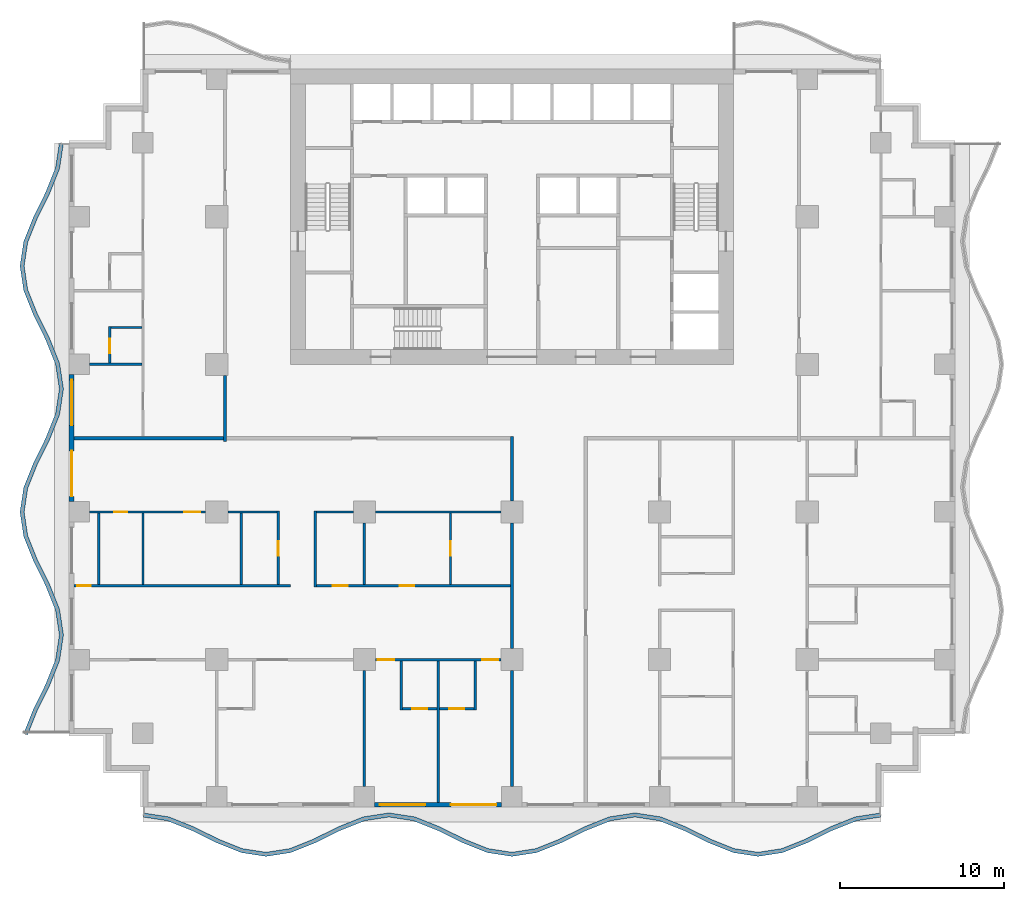
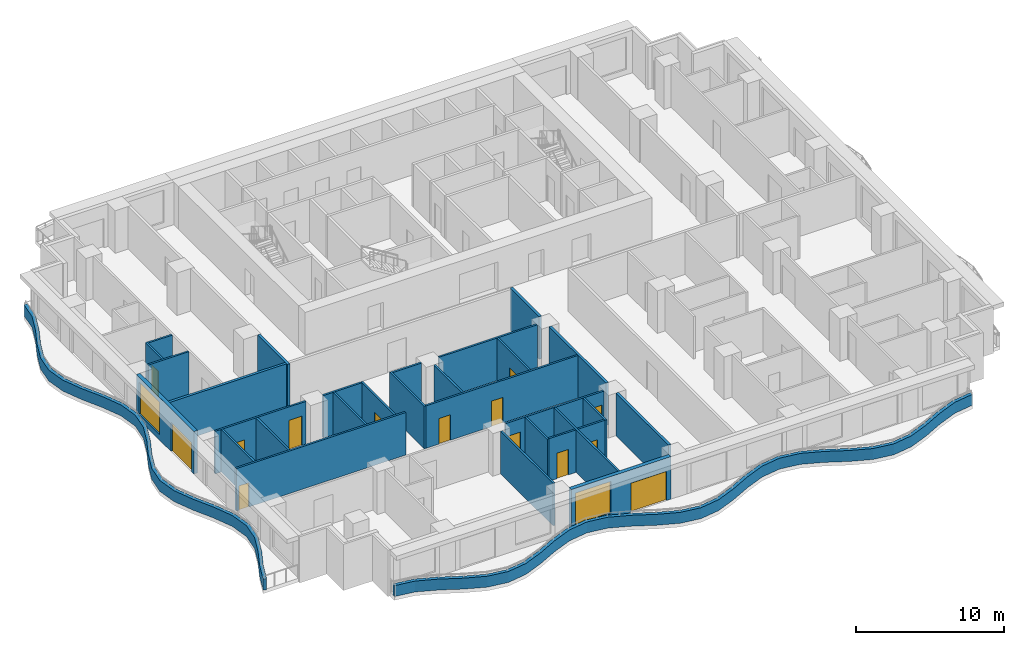
# One storey, part 2 of 13: 32 walls, 14 doors, 2 windows, 16 openings.
"""IFC4 building model written with IfcOpenShell, lengths in metres."""

from ifc_helpers import new_model, si_unit, direction, frame, frame_2d, origin, place, context, subcontext, project, spatial, polyline, rectangle, outline, extrude, material, layer, layer_set, type_object, element, fill, save


model = new_model("IFC4")

# Units and contexts
model_context = context("Model", 3, precision=1e-05, world=origin(), true_north=direction((0.0, 1.0)))
body_context = subcontext(model_context, "Body", "Model", "MODEL_VIEW")
ifc_project = project(units=[si_unit("LENGTHUNIT", "METRE"), si_unit("AREAUNIT", "SQUARE_METRE"), si_unit("VOLUMEUNIT", "CUBIC_METRE"), si_unit("PLANEANGLEUNIT", "RADIAN"), si_unit("MASSUNIT", "GRAM", prefix="KILO")], contexts=[model_context])

# Site, building, storey
site_placement = place(None, origin())
site = spatial("IfcSite", under=ifc_project, at=site_placement, CompositionType="ELEMENT")
building_placement = place(site_placement, origin())
building = spatial("IfcBuilding", under=site, at=building_placement, Name="Orbiselva Terraces", CompositionType="ELEMENT")
storey_placement = place(building_placement, frame((0.0, 0.0, 99.8)))
storey = spatial("IfcBuildingStorey", under=building, at=storey_placement, Name="L25", CompositionType="ELEMENT", Elevation=99.8)

# Walls
ifc_material_1 = material(Name="Concrete C40/50", Category="concrete")
ifc_layer_1 = layer(ifc_material_1, 0.25)
ifc_layer_set_1 = layer_set([ifc_layer_1], Name="Concrete C40/50")
wall_type_1 = type_object("IfcWallType", Name="ENV-PLANTER-250x900", PredefinedType="USERDEFINED", material=ifc_layer_set_1)
wall_1_placement = place(storey_placement, origin())
element("IfcWall", 1, at=wall_1_placement, inside=storey, type_object=wall_type_1, Name="Balcony planter L25 S", ObjectType="PLANTER", PredefinedType="USERDEFINED", context=body_context, shape_type="SweptSolid", body=[
    extrude(outline(polyline([(-22.5, -23.1), (-21.0, -23.32918), (-19.5, -23.92918), (-18.0, -24.67082), (-16.5, -25.27082), (-15.0, -25.5), (-13.5, -25.27082), (-12.0, -24.67082), (-10.5, -23.92918), (-9.0, -23.32918), (-7.5, -23.1), (-6.0, -23.32918), (-4.5, -23.92918), (-3.0, -24.67082), (-1.5, -25.27082), (0.0, -25.5), (1.5, -25.27082), (3.0, -24.67082), (4.5, -23.92918), (6.0, -23.32918), (7.5, -23.1), (9.0, -23.32918), (10.5, -23.92918), (12.0, -24.67082), (13.5, -25.27082), (15.0, -25.5), (16.5, -25.27082), (18.0, -24.67082), (19.5, -23.92918), (21.0, -23.32918), (22.5, -23.1), (22.462242, -22.852868), (20.933834, -23.086388), (19.398017, -23.700715), (17.898017, -24.442355), (16.433834, -25.028028), (15.0, -25.247099), (13.566166, -25.028028), (12.101983, -24.442355), (10.601983, -23.700715), (9.066166, -23.086388), (7.5, -22.847099), (5.933834, -23.086388), (4.398017, -23.700715), (2.898017, -24.442355), (1.433834, -25.028028), (0.0, -25.247099), (-1.433834, -25.028028), (-2.898017, -24.442355), (-4.398017, -23.700715), (-5.933834, -23.086388), (-7.5, -22.847099), (-9.066166, -23.086388), (-10.601983, -23.700715), (-12.101983, -24.442355), (-13.566166, -25.028028), (-15.0, -25.247099), (-16.433834, -25.028028), (-17.898017, -24.442355), (-19.398017, -23.700715), (-20.933834, -23.086388), (-22.462242, -22.852868), (-22.5, -23.1)])), origin(), (0.0, 0.0, 1.0), 0.9),
])
wall_2_placement = place(storey_placement, origin())
element("IfcWall", 2, at=wall_2_placement, inside=storey, type_object=wall_type_1, Name="Balcony planter L25 W", ObjectType="PLANTER", PredefinedType="USERDEFINED", context=body_context, shape_type="SweptSolid", body=[
    extrude(outline(polyline([(-27.6, 18.0), (-27.82918, 16.5), (-28.42918, 15.0), (-29.17082, 13.5), (-29.77082, 12.0), (-30.0, 10.5), (-29.77082, 9.0), (-29.17082, 7.5), (-28.42918, 6.0), (-27.82918, 4.5), (-27.6, 3.0), (-27.82918, 1.5), (-28.42918, 0.0), (-29.17082, -1.5), (-29.77082, -3.0), (-30.0, -4.5), (-29.77082, -6.0), (-29.17082, -7.5), (-28.42918, -9.0), (-27.82918, -10.5), (-27.6, -12.0), (-27.82918, -13.5), (-28.42918, -15.0), (-29.17082, -16.5), (-29.77082, -18.0), (-29.538701, -18.092848), (-28.942355, -16.601983), (-28.200715, -15.101983), (-27.586388, -13.566166), (-27.347099, -12.0), (-27.586388, -10.433834), (-28.200715, -8.898017), (-28.942355, -7.398017), (-29.528028, -5.933834), (-29.747099, -4.5), (-29.528028, -3.066166), (-28.942355, -1.601983), (-28.200715, -0.101983), (-27.586388, 1.433834), (-27.347099, 3.0), (-27.586388, 4.566166), (-28.200715, 6.101983), (-28.942355, 7.601983), (-29.528028, 9.066166), (-29.747099, 10.5), (-29.528028, 11.933834), (-28.942355, 13.398017), (-28.200715, 14.898017), (-27.586388, 16.433834), (-27.352868, 17.962242), (-27.6, 18.0)])), origin(), (0.0, 0.0, 1.0), 0.9),
])

# Wall, openings, door, window
ifc_material_2 = material(Name="Terracotta cladding on masonry backing", Category="masonry")
ifc_layer_2 = layer(ifc_material_2, 0.3)
ifc_layer_set_2 = layer_set([ifc_layer_2], Name="Terracotta cladding on masonry backing")
wall_type_2 = type_object("IfcWallType", Name="ENV-WALL-TERRACOTTA-300", PredefinedType="SOLIDWALL", material=ifc_layer_set_2)
wall_3_placement = place(storey_placement, frame((-0.625, -22.35, 0.0), z_axis=(0.0, 0.0, 1.0), x_axis=(-1.0, 0.0, 0.0)))
wall_3 = element("IfcWall", 3, at=wall_3_placement, inside=storey, type_object=wall_type_2, Name="Facade wall L25 S", PredefinedType="SOLIDWALL", context=body_context, shape_type="SweptSolid", body=[
    extrude(rectangle(XDim=7.75, YDim=0.3, at=frame_2d((3.875, 0.0))), origin(), (0.0, 0.0, 1.0), 3.5),
])
opening_1_placement = place(wall_3_placement, frame((4.65, 0.0, 0.45)))
opening_1 = element("IfcOpeningElement", 4, at=opening_1_placement, cuts=wall_3, Name="Opening WN6", PredefinedType="OPENING", context=body_context, shape_type="SweptSolid", body=[
    extrude(rectangle(XDim=2.775, YDim=2.65, at=frame_2d((1.3875, 1.325))), frame((0.0, 0.16, 0.0), z_axis=(0.0, -1.0, 0.0), x_axis=(1.0, 0.0, 0.0)), (0.0, 0.0, 1.0), 0.32),
])
opening_2_placement = place(wall_3_placement, frame((0.325, 0.0, 0.0)))
opening_2 = element("IfcOpeningElement", 5, at=opening_2_placement, cuts=wall_3, Name="Opening Z2-C-E16", PredefinedType="OPENING", context=body_context, shape_type="SweptSolid", body=[
    extrude(rectangle(XDim=2.775, YDim=2.4, at=frame_2d((1.3875, 1.2))), frame((0.0, 0.16, 0.0), z_axis=(0.0, -1.0, 0.0), x_axis=(1.0, 0.0, 0.0)), (0.0, 0.0, 1.0), 0.32),
])
ifc_material_3 = material(Name="Clear low-e glazing in aluminium frame", Category="aluminium")
door_type_1 = type_object("IfcDoorType", Name="BALCONY DOOR 2775 X 2400", OperationType="DOUBLE_DOOR_SLIDING", PredefinedType="DOOR", material=ifc_material_3)
door_1_placement = place(opening_2_placement, origin())
door_1 = element("IfcDoor", 6, at=door_1_placement, inside=storey, type_object=door_type_1, Name="Z2-C-E16", OperationType="SINGLE_SWING_LEFT", OverallHeight=2.4, OverallWidth=2.775, PredefinedType="DOOR", context=body_context, shape_type="SweptSolid", body=[
    extrude(rectangle(XDim=2.775, YDim=2.4, at=frame_2d((1.3875, 1.2))), frame((0.0, 0.025, 0.0), z_axis=(0.0, -1.0, 0.0), x_axis=(1.0, 0.0, 0.0)), (0.0, 0.0, 1.0), 0.05),
])
fill(opening_2, door_1)
window_type = type_object("IfcWindowType", Name="WINDOW 2775 X 2650 S450", PartitioningType="TRIPLE_PANEL_VERTICAL", PredefinedType="WINDOW", material=ifc_material_3)
window_1_placement = place(opening_1_placement, origin())
window_1 = element("IfcWindow", 7, at=window_1_placement, inside=storey, type_object=window_type, Name="Window L25 S", OverallHeight=2.65, OverallWidth=2.775, PartitioningType="SINGLE_PANEL", PredefinedType="WINDOW", context=body_context, shape_type="SweptSolid", body=[
    extrude(rectangle(XDim=2.775, YDim=2.65, at=frame_2d((1.3875, 1.325))), frame((0.0, 0.03, 0.0), z_axis=(0.0, -1.0, 0.0), x_axis=(1.0, 0.0, 0.0)), (0.0, 0.0, 1.0), 0.06),
])
fill(opening_1, window_1)

wall_4_placement = place(storey_placement, frame((-26.85, -3.875, 0.0), z_axis=(0.0, 0.0, 1.0), x_axis=(0.0, 1.0, 0.0)))
wall_4 = element("IfcWall", 8, at=wall_4_placement, inside=storey, type_object=wall_type_2, Name="Facade wall L25 W", PredefinedType="SOLIDWALL", context=body_context, shape_type="SweptSolid", body=[
    extrude(rectangle(XDim=7.75, YDim=0.3, at=frame_2d((3.875, 0.0))), origin(), (0.0, 0.0, 1.0), 3.5),
])
opening_3_placement = place(wall_4_placement, frame((4.65, 0.0, 0.45)))
opening_3 = element("IfcOpeningElement", 9, at=opening_3_placement, cuts=wall_4, Name="Opening WN6", PredefinedType="OPENING", context=body_context, shape_type="SweptSolid", body=[
    extrude(rectangle(XDim=2.775, YDim=2.65, at=frame_2d((1.3875, 1.325))), frame((0.0, 0.16, 0.0), z_axis=(0.0, -1.0, 0.0), x_axis=(1.0, 0.0, 0.0)), (0.0, 0.0, 1.0), 0.32),
])
opening_4_placement = place(wall_4_placement, frame((0.325, 0.0, 0.0)))
opening_4 = element("IfcOpeningElement", 10, at=opening_4_placement, cuts=wall_4, Name="Opening Z2-C-E18", PredefinedType="OPENING", context=body_context, shape_type="SweptSolid", body=[
    extrude(rectangle(XDim=2.775, YDim=2.4, at=frame_2d((1.3875, 1.2))), frame((0.0, 0.16, 0.0), z_axis=(0.0, -1.0, 0.0), x_axis=(1.0, 0.0, 0.0)), (0.0, 0.0, 1.0), 0.32),
])
door_2_placement = place(opening_4_placement, origin())
door_2 = element("IfcDoor", 11, at=door_2_placement, inside=storey, type_object=door_type_1, Name="Z2-C-E18", OperationType="SINGLE_SWING_LEFT", OverallHeight=2.4, OverallWidth=2.775, PredefinedType="DOOR", context=body_context, shape_type="SweptSolid", body=[
    extrude(rectangle(XDim=2.775, YDim=2.4, at=frame_2d((1.3875, 1.2))), frame((0.0, 0.025, 0.0), z_axis=(0.0, -1.0, 0.0), x_axis=(1.0, 0.0, 0.0)), (0.0, 0.0, 1.0), 0.05),
])
fill(opening_4, door_2)
window_2_placement = place(opening_3_placement, origin())
window_2 = element("IfcWindow", 12, at=window_2_placement, inside=storey, type_object=window_type, Name="Window L25 W", OverallHeight=2.65, OverallWidth=2.775, PartitioningType="SINGLE_PANEL", PredefinedType="WINDOW", context=body_context, shape_type="SweptSolid", body=[
    extrude(rectangle(XDim=2.775, YDim=2.65, at=frame_2d((1.3875, 1.325))), frame((0.0, 0.03, 0.0), z_axis=(0.0, -1.0, 0.0), x_axis=(1.0, 0.0, 0.0)), (0.0, 0.0, 1.0), 0.06),
])
fill(opening_3, window_2)

# Walls
ifc_material_4 = material(Name="Plasterboard on steel stud partition", Category="steel")
ifc_layer_3 = layer(ifc_material_4, 0.2)
ifc_layer_set_3 = layer_set([ifc_layer_3], Name="Plasterboard on steel stud partition")
wall_type_3 = type_object("IfcWallType", Name="UNIT-ENTRANCE-WALL-200", PredefinedType="PARTITIONING", material=ifc_layer_set_3)
wall_5_placement = place(storey_placement, frame((-17.5, -0.2, 0.0), z_axis=(0.0, 0.0, 1.0), x_axis=(0.0, 1.0, 0.0)))
element("IfcWall", 13, at=wall_5_placement, inside=storey, type_object=wall_type_3, Name="PARTITION L25-044", PredefinedType="PARTITIONING", context=body_context, shape_type="SweptSolid", body=[
    extrude(rectangle(XDim=4.025, YDim=0.2, at=frame_2d((2.0125, 0.0))), origin(), (0.0, 0.0, 1.0), 3.5),
])
wall_6_placement = place(storey_placement, frame((0.0, -21.25, 0.0), z_axis=(0.0, 0.0, 1.0), x_axis=(0.0, 1.0, 0.0)))
element("IfcWall", 14, at=wall_6_placement, inside=storey, type_object=wall_type_3, Name="PARTITION L25-057", PredefinedType="PARTITIONING", context=body_context, shape_type="SweptSolid", body=[
    extrude(rectangle(XDim=7.075, YDim=0.2, at=frame_2d((3.5375, 0.0))), origin(), (0.0, 0.0, 1.0), 3.5),
])
wall_7_placement = place(storey_placement, frame((0.0, -12.825, 0.0), z_axis=(0.0, 0.0, 1.0), x_axis=(0.0, 1.0, 0.0)))
element("IfcWall", 15, at=wall_7_placement, inside=storey, type_object=wall_type_3, Name="PARTITION L25-058", PredefinedType="PARTITIONING", context=body_context, shape_type="SweptSolid", body=[
    extrude(rectangle(XDim=7.65, YDim=0.2, at=frame_2d((3.825, 0.0))), origin(), (0.0, 0.0, 1.0), 3.5),
])
wall_8_placement = place(storey_placement, frame((0.0, -3.825, 0.0), z_axis=(0.0, 0.0, 1.0), x_axis=(0.0, 1.0, 0.0)))
element("IfcWall", 16, at=wall_8_placement, inside=storey, type_object=wall_type_3, Name="PARTITION L25-059", PredefinedType="PARTITIONING", context=body_context, shape_type="SweptSolid", body=[
    extrude(rectangle(XDim=3.925, YDim=0.2, at=frame_2d((1.9625, 0.0))), origin(), (0.0, 0.0, 1.0), 3.5),
])

# Wall, opening, door
ifc_layer_4 = layer(ifc_material_4, 0.15)
ifc_layer_set_4 = layer_set([ifc_layer_4], Name="Plasterboard on steel stud partition")
wall_type_4 = type_object("IfcWallType", Name="UNIT-PARTITION-150", PredefinedType="PARTITIONING", material=ifc_layer_set_4)
wall_9_placement = place(storey_placement, frame((-6.675, -16.5, 0.0), z_axis=(0.0, 0.0, 1.0), x_axis=(1.0, 0.0, 0.0)))
wall_9 = element("IfcWall", 17, at=wall_9_placement, inside=storey, type_object=wall_type_4, Name="PARTITION L25-005", PredefinedType="PARTITIONING", context=body_context, shape_type="SweptSolid", body=[
    extrude(rectangle(XDim=2.1, YDim=0.15, at=frame_2d((1.05, 0.0))), origin(), (0.0, 0.0, 1.0), 3.5),
])
opening_5_placement = place(wall_9_placement, frame((0.6, 0.0, 0.0)))
opening_5 = element("IfcOpeningElement", 18, at=opening_5_placement, cuts=wall_9, Name="Opening Z2-C-25", PredefinedType="OPENING", context=body_context, shape_type="SweptSolid", body=[
    extrude(rectangle(XDim=0.9, YDim=2.1, at=frame_2d((0.45, 1.05))), frame((0.0, 0.085, 0.0), z_axis=(0.0, -1.0, 0.0), x_axis=(1.0, 0.0, 0.0)), (0.0, 0.0, 1.0), 0.17),
])
ifc_material_5 = material(Name="Painted timber door leaf", Category="wood")
door_type_2 = type_object("IfcDoorType", Name="BATH DOOR 900", OperationType="NOTDEFINED", PredefinedType="DOOR", material=ifc_material_5)
door_3_placement = place(opening_5_placement, origin())
door_3 = element("IfcDoor", 19, at=door_3_placement, inside=storey, type_object=door_type_2, Name="Z2-C-25", OperationType="SINGLE_SWING_LEFT", OverallHeight=2.1, OverallWidth=0.9, PredefinedType="DOOR", context=body_context, shape_type="SweptSolid", body=[
    extrude(rectangle(XDim=0.9, YDim=2.1, at=frame_2d((0.45, 1.05))), frame((0.0, 0.025, 0.0), z_axis=(0.0, -1.0, 0.0), x_axis=(1.0, 0.0, 0.0)), (0.0, 0.0, 1.0), 0.05),
])
fill(opening_5, door_3)

wall_10_placement = place(storey_placement, frame((-4.425, -16.5, 0.0), z_axis=(0.0, 0.0, 1.0), x_axis=(1.0, 0.0, 0.0)))
wall_10 = element("IfcWall", 20, at=wall_10_placement, inside=storey, type_object=wall_type_4, Name="PARTITION L25-006", PredefinedType="PARTITIONING", context=body_context, shape_type="SweptSolid", body=[
    extrude(rectangle(XDim=2.1, YDim=0.15, at=frame_2d((1.05, 0.0))), origin(), (0.0, 0.0, 1.0), 3.5),
])
opening_6_placement = place(wall_10_placement, frame((0.6, 0.0, 0.0)))
opening_6 = element("IfcOpeningElement", 21, at=opening_6_placement, cuts=wall_10, Name="Opening Z2-C-27", PredefinedType="OPENING", context=body_context, shape_type="SweptSolid", body=[
    extrude(rectangle(XDim=0.9, YDim=2.1, at=frame_2d((0.45, 1.05))), frame((0.0, 0.085, 0.0), z_axis=(0.0, -1.0, 0.0), x_axis=(1.0, 0.0, 0.0)), (0.0, 0.0, 1.0), 0.17),
])
door_4_placement = place(opening_6_placement, origin())
door_4 = element("IfcDoor", 22, at=door_4_placement, inside=storey, type_object=door_type_2, Name="Z2-C-27", OperationType="SINGLE_SWING_RIGHT", OverallHeight=2.1, OverallWidth=0.9, PredefinedType="DOOR", context=body_context, shape_type="SweptSolid", body=[
    extrude(rectangle(XDim=0.9, YDim=2.1, at=frame_2d((0.45, 1.05))), frame((0.0, 0.025, 0.0), z_axis=(0.0, -1.0, 0.0), x_axis=(1.0, 0.0, 0.0)), (0.0, 0.0, 1.0), 0.05),
])
fill(opening_6, door_4)

# Wall, openings, doors
wall_11_placement = place(storey_placement, frame((-0.675, -13.5, 0.0), z_axis=(0.0, 0.0, 1.0), x_axis=(-1.0, 0.0, 0.0)))
wall_11 = element("IfcWall", 23, at=wall_11_placement, inside=storey, type_object=wall_type_4, Name="PARTITION L25-011", PredefinedType="PARTITIONING", context=body_context, shape_type="SweptSolid", body=[
    extrude(rectangle(XDim=7.65, YDim=0.15, at=frame_2d((3.825, 0.0))), origin(), (0.0, 0.0, 1.0), 3.5),
])
opening_7_placement = place(wall_11_placement, frame((6.5, 0.0, 0.0)))
opening_7 = element("IfcOpeningElement", 24, at=opening_7_placement, cuts=wall_11, Name="Opening Z2-C-24", PredefinedType="OPENING", context=body_context, shape_type="SweptSolid", body=[
    extrude(rectangle(XDim=1.0, YDim=2.4, at=frame_2d((0.5, 1.2))), frame((0.0, 0.085, 0.0), z_axis=(0.0, -1.0, 0.0), x_axis=(1.0, 0.0, 0.0)), (0.0, 0.0, 1.0), 0.17),
])
opening_8_placement = place(wall_11_placement, frame((0.15, 0.0, 0.0)))
opening_8 = element("IfcOpeningElement", 25, at=opening_8_placement, cuts=wall_11, Name="Opening Z2-C-26", PredefinedType="OPENING", context=body_context, shape_type="SweptSolid", body=[
    extrude(rectangle(XDim=1.0, YDim=2.4, at=frame_2d((0.5, 1.2))), frame((0.0, 0.085, 0.0), z_axis=(0.0, -1.0, 0.0), x_axis=(1.0, 0.0, 0.0)), (0.0, 0.0, 1.0), 0.17),
])
door_type_3 = type_object("IfcDoorType", Name="ROOM DOOR 1000", OperationType="NOTDEFINED", PredefinedType="DOOR", material=ifc_material_5)
door_5_placement = place(opening_7_placement, origin())
door_5 = element("IfcDoor", 26, at=door_5_placement, inside=storey, type_object=door_type_3, Name="Z2-C-24", OperationType="SINGLE_SWING_RIGHT", OverallHeight=2.4, OverallWidth=1.0, PredefinedType="DOOR", context=body_context, shape_type="SweptSolid", body=[
    extrude(rectangle(XDim=1.0, YDim=2.4, at=frame_2d((0.5, 1.2))), frame((0.0, 0.025, 0.0), z_axis=(0.0, -1.0, 0.0), x_axis=(1.0, 0.0, 0.0)), (0.0, 0.0, 1.0), 0.05),
])
fill(opening_7, door_5)
door_6_placement = place(opening_8_placement, origin())
door_6 = element("IfcDoor", 27, at=door_6_placement, inside=storey, type_object=door_type_3, Name="Z2-C-26", OperationType="SINGLE_SWING_LEFT", OverallHeight=2.4, OverallWidth=1.0, PredefinedType="DOOR", context=body_context, shape_type="SweptSolid", body=[
    extrude(rectangle(XDim=1.0, YDim=2.4, at=frame_2d((0.5, 1.2))), frame((0.0, 0.025, 0.0), z_axis=(0.0, -1.0, 0.0), x_axis=(1.0, 0.0, 0.0)), (0.0, 0.0, 1.0), 0.05),
])
fill(opening_8, door_6)

# Wall, opening, door
wall_12_placement = place(storey_placement, frame((-26.7, -9.0, 0.0), z_axis=(0.0, 0.0, 1.0), x_axis=(1.0, 0.0, 0.0)))
wall_12 = element("IfcWall", 28, at=wall_12_placement, inside=storey, type_object=wall_type_4, Name="PARTITION L25-015", PredefinedType="PARTITIONING", context=body_context, shape_type="SweptSolid", body=[
    extrude(rectangle(XDim=13.2, YDim=0.15, at=frame_2d((6.6, 0.0))), origin(), (0.0, 0.0, 1.0), 3.5),
])
opening_9_placement = place(wall_12_placement, frame((0.2, 0.0, 0.0)))
opening_9 = element("IfcOpeningElement", 29, at=opening_9_placement, cuts=wall_12, Name="Opening Z2-C-14", PredefinedType="OPENING", context=body_context, shape_type="SweptSolid", body=[
    extrude(rectangle(XDim=0.8, YDim=2.0, at=frame_2d((0.4, 1.0))), frame((0.0, 0.085, 0.0), z_axis=(0.0, -1.0, 0.0), x_axis=(1.0, 0.0, 0.0)), (0.0, 0.0, 1.0), 0.17),
])
door_type_4 = type_object("IfcDoorType", Name="STORE DOOR 800", OperationType="NOTDEFINED", PredefinedType="DOOR", material=ifc_material_5)
door_7_placement = place(opening_9_placement, origin())
door_7 = element("IfcDoor", 30, at=door_7_placement, inside=storey, type_object=door_type_4, Name="Z2-C-14", OperationType="SINGLE_SWING_LEFT", OverallHeight=2.0, OverallWidth=0.8, PredefinedType="DOOR", context=body_context, shape_type="SweptSolid", body=[
    extrude(rectangle(XDim=0.8, YDim=2.0, at=frame_2d((0.4, 1.0))), frame((0.0, 0.025, 0.0), z_axis=(0.0, -1.0, 0.0), x_axis=(1.0, 0.0, 0.0)), (0.0, 0.0, 1.0), 0.05),
])
fill(opening_9, door_7)

# Wall, openings, doors
wall_13_placement = place(storey_placement, frame((-11.925, -9.0, 0.0), z_axis=(0.0, 0.0, 1.0), x_axis=(1.0, 0.0, 0.0)))
wall_13 = element("IfcWall", 31, at=wall_13_placement, inside=storey, type_object=wall_type_4, Name="PARTITION L25-016", PredefinedType="PARTITIONING", context=body_context, shape_type="SweptSolid", body=[
    extrude(rectangle(XDim=11.825, YDim=0.15, at=frame_2d((5.9125, 0.0))), origin(), (0.0, 0.0, 1.0), 3.5),
])
opening_10_placement = place(wall_13_placement, frame((1.0, 0.0, 0.0)))
opening_10 = element("IfcOpeningElement", 32, at=opening_10_placement, cuts=wall_13, Name="Opening Z2-C-18", PredefinedType="OPENING", context=body_context, shape_type="SweptSolid", body=[
    extrude(rectangle(XDim=0.9, YDim=2.1, at=frame_2d((0.45, 1.05))), frame((0.0, 0.085, 0.0), z_axis=(0.0, -1.0, 0.0), x_axis=(1.0, 0.0, 0.0)), (0.0, 0.0, 1.0), 0.17),
])
opening_11_placement = place(wall_13_placement, frame((5.075, 0.0, 0.0)))
opening_11 = element("IfcOpeningElement", 33, at=opening_11_placement, cuts=wall_13, Name="Opening Z2-C-19", PredefinedType="OPENING", context=body_context, shape_type="SweptSolid", body=[
    extrude(rectangle(XDim=0.9, YDim=2.1, at=frame_2d((0.45, 1.05))), frame((0.0, 0.085, 0.0), z_axis=(0.0, -1.0, 0.0), x_axis=(1.0, 0.0, 0.0)), (0.0, 0.0, 1.0), 0.17),
])
door_type_5 = type_object("IfcDoorType", Name="SERVICE DOOR 900", OperationType="NOTDEFINED", PredefinedType="DOOR", material=ifc_material_5)
door_8_placement = place(opening_10_placement, origin())
door_8 = element("IfcDoor", 34, at=door_8_placement, inside=storey, type_object=door_type_5, Name="Z2-C-18", OperationType="SINGLE_SWING_LEFT", OverallHeight=2.1, OverallWidth=0.9, PredefinedType="DOOR", context=body_context, shape_type="SweptSolid", body=[
    extrude(rectangle(XDim=0.9, YDim=2.1, at=frame_2d((0.45, 1.05))), frame((0.0, 0.025, 0.0), z_axis=(0.0, -1.0, 0.0), x_axis=(1.0, 0.0, 0.0)), (0.0, 0.0, 1.0), 0.05),
])
fill(opening_10, door_8)
door_9_placement = place(opening_11_placement, origin())
door_9 = element("IfcDoor", 35, at=door_9_placement, inside=storey, type_object=door_type_5, Name="Z2-C-19", OperationType="SINGLE_SWING_LEFT", OverallHeight=2.1, OverallWidth=0.9, PredefinedType="DOOR", context=body_context, shape_type="SweptSolid", body=[
    extrude(rectangle(XDim=0.9, YDim=2.1, at=frame_2d((0.45, 1.05))), frame((0.0, 0.025, 0.0), z_axis=(0.0, -1.0, 0.0), x_axis=(1.0, 0.0, 0.0)), (0.0, 0.0, 1.0), 0.05),
])
fill(opening_11, door_9)

wall_14_placement = place(storey_placement, frame((-18.675, -4.5, 0.0), z_axis=(0.0, 0.0, 1.0), x_axis=(-1.0, 0.0, 0.0)))
wall_14 = element("IfcWall", 36, at=wall_14_placement, inside=storey, type_object=wall_type_4, Name="PARTITION L25-020", PredefinedType="PARTITIONING", context=body_context, shape_type="SweptSolid", body=[
    extrude(rectangle(XDim=7.075, YDim=0.15, at=frame_2d((3.5375, 0.0))), origin(), (0.0, 0.0, 1.0), 3.5),
])
opening_12_placement = place(wall_14_placement, frame((4.775, 0.0, 0.0)))
opening_12 = element("IfcOpeningElement", 37, at=opening_12_placement, cuts=wall_14, Name="Opening Z2-C-15", PredefinedType="OPENING", context=body_context, shape_type="SweptSolid", body=[
    extrude(rectangle(XDim=0.8, YDim=2.0, at=frame_2d((0.4, 1.0))), frame((0.0, 0.085, 0.0), z_axis=(0.0, -1.0, 0.0), x_axis=(1.0, 0.0, 0.0)), (0.0, 0.0, 1.0), 0.17),
])
opening_13_placement = place(wall_14_placement, frame((0.325, 0.0, 0.0)))
opening_13 = element("IfcOpeningElement", 38, at=opening_13_placement, cuts=wall_14, Name="Opening Z2-C-16", PredefinedType="OPENING", context=body_context, shape_type="SweptSolid", body=[
    extrude(rectangle(XDim=1.0, YDim=2.4, at=frame_2d((0.5, 1.2))), frame((0.0, 0.085, 0.0), z_axis=(0.0, -1.0, 0.0), x_axis=(1.0, 0.0, 0.0)), (0.0, 0.0, 1.0), 0.17),
])
door_10_placement = place(opening_13_placement, origin())
door_10 = element("IfcDoor", 39, at=door_10_placement, inside=storey, type_object=door_type_3, Name="Z2-C-16", OperationType="SINGLE_SWING_LEFT", OverallHeight=2.4, OverallWidth=1.0, PredefinedType="DOOR", context=body_context, shape_type="SweptSolid", body=[
    extrude(rectangle(XDim=1.0, YDim=2.4, at=frame_2d((0.5, 1.2))), frame((0.0, 0.025, 0.0), z_axis=(0.0, -1.0, 0.0), x_axis=(1.0, 0.0, 0.0)), (0.0, 0.0, 1.0), 0.05),
])
fill(opening_13, door_10)
door_11_placement = place(opening_12_placement, origin())
door_11 = element("IfcDoor", 40, at=door_11_placement, inside=storey, type_object=door_type_4, Name="Z2-C-15", OperationType="SINGLE_SWING_RIGHT", OverallHeight=2.0, OverallWidth=0.8, PredefinedType="DOOR", context=body_context, shape_type="SweptSolid", body=[
    extrude(rectangle(XDim=0.8, YDim=2.0, at=frame_2d((0.4, 1.0))), frame((0.0, 0.025, 0.0), z_axis=(0.0, -1.0, 0.0), x_axis=(1.0, 0.0, 0.0)), (0.0, 0.0, 1.0), 0.05),
])
fill(opening_12, door_11)

# Walls
wall_15_placement = place(storey_placement, frame((-17.325, -4.5, 0.0), z_axis=(0.0, 0.0, 1.0), x_axis=(1.0, 0.0, 0.0)))
element("IfcWall", 41, at=wall_15_placement, inside=storey, type_object=wall_type_4, Name="PARTITION L25-021", PredefinedType="PARTITIONING", context=body_context, shape_type="SweptSolid", body=[
    extrude(rectangle(XDim=3.0, YDim=0.15, at=frame_2d((1.5, 0.0))), origin(), (0.0, 0.0, 1.0), 3.5),
])
wall_16_placement = place(storey_placement, frame((-11.925, -4.5, 0.0), z_axis=(0.0, 0.0, 1.0), x_axis=(1.0, 0.0, 0.0)))
element("IfcWall", 42, at=wall_16_placement, inside=storey, type_object=wall_type_4, Name="PARTITION L25-022", PredefinedType="PARTITIONING", context=body_context, shape_type="SweptSolid", body=[
    extrude(rectangle(XDim=2.25, YDim=0.15, at=frame_2d((1.125, 0.0))), origin(), (0.0, 0.0, 1.0), 3.5),
])
wall_17_placement = place(storey_placement, frame((-8.325, -4.5, 0.0), z_axis=(0.0, 0.0, 1.0), x_axis=(1.0, 0.0, 0.0)))
element("IfcWall", 43, at=wall_17_placement, inside=storey, type_object=wall_type_4, Name="PARTITION L25-023", PredefinedType="PARTITIONING", context=body_context, shape_type="SweptSolid", body=[
    extrude(rectangle(XDim=7.65, YDim=0.15, at=frame_2d((3.825, 0.0))), origin(), (0.0, 0.0, 1.0), 3.5),
])
wall_18_placement = place(storey_placement, frame((-25.75, 4.5, 0.0), z_axis=(0.0, 0.0, 1.0), x_axis=(1.0, 0.0, 0.0)))
element("IfcWall", 44, at=wall_18_placement, inside=storey, type_object=wall_type_4, Name="PARTITION L25-030", PredefinedType="PARTITIONING", context=body_context, shape_type="SweptSolid", body=[
    extrude(rectangle(XDim=3.175, YDim=0.15, at=frame_2d((1.5875, 0.0))), origin(), (0.0, 0.0, 1.0), 3.5),
])
wall_19_placement = place(storey_placement, frame((-24.45, 6.75, 0.0), z_axis=(0.0, 0.0, 1.0), x_axis=(1.0, 0.0, 0.0)))
element("IfcWall", 45, at=wall_19_placement, inside=storey, type_object=wall_type_4, Name="PARTITION L25-031", PredefinedType="PARTITIONING", context=body_context, shape_type="SweptSolid", body=[
    extrude(rectangle(XDim=1.875, YDim=0.15, at=frame_2d((0.9375, 0.0))), origin(), (0.0, 0.0, 1.0), 3.5),
])
wall_20_placement = place(storey_placement, frame((-25.2, -8.925, 0.0), z_axis=(0.0, 0.0, 1.0), x_axis=(0.0, 1.0, 0.0)))
element("IfcWall", 46, at=wall_20_placement, inside=storey, type_object=wall_type_4, Name="PARTITION L25-037", PredefinedType="PARTITIONING", context=body_context, shape_type="SweptSolid", body=[
    extrude(rectangle(XDim=4.35, YDim=0.15, at=frame_2d((2.175, 0.0))), origin(), (0.0, 0.0, 1.0), 3.5),
])

# Wall, opening, door
wall_21_placement = place(storey_placement, frame((-24.525, 6.825, 0.0), z_axis=(0.0, 0.0, 1.0), x_axis=(0.0, -1.0, 0.0)))
wall_21 = element("IfcWall", 47, at=wall_21_placement, inside=storey, type_object=wall_type_4, Name="PARTITION L25-038", PredefinedType="PARTITIONING", context=body_context, shape_type="SweptSolid", body=[
    extrude(rectangle(XDim=2.25, YDim=0.15, at=frame_2d((1.125, 0.0))), origin(), (0.0, 0.0, 1.0), 3.5),
])
opening_14_placement = place(wall_21_placement, frame((0.75, 0.0, 0.0)))
opening_14 = element("IfcOpeningElement", 48, at=opening_14_placement, cuts=wall_21, Name="Opening Z2-C-04", PredefinedType="OPENING", context=body_context, shape_type="SweptSolid", body=[
    extrude(rectangle(XDim=0.9, YDim=2.1, at=frame_2d((0.45, 1.05))), frame((0.0, 0.085, 0.0), z_axis=(0.0, -1.0, 0.0), x_axis=(1.0, 0.0, 0.0)), (0.0, 0.0, 1.0), 0.17),
])
door_12_placement = place(opening_14_placement, origin())
door_12 = element("IfcDoor", 49, at=door_12_placement, inside=storey, type_object=door_type_2, Name="Z2-C-04", OperationType="SINGLE_SWING_RIGHT", OverallHeight=2.1, OverallWidth=0.9, PredefinedType="DOOR", context=body_context, shape_type="SweptSolid", body=[
    extrude(rectangle(XDim=0.9, YDim=2.1, at=frame_2d((0.45, 1.05))), frame((0.0, 0.025, 0.0), z_axis=(0.0, -1.0, 0.0), x_axis=(1.0, 0.0, 0.0)), (0.0, 0.0, 1.0), 0.05),
])
fill(opening_14, door_12)

# Walls
for number, where, z_axis, x_axis, name in (
    (50, (-22.5, -8.925, 0.0), (0.0, 0.0, 1.0), (0.0, 1.0, 0.0), "PARTITION L25-040"),
    (51, (-16.5, -8.925, 0.0), (0.0, 0.0, 1.0), (0.0, 1.0, 0.0), "PARTITION L25-047"),
):
    element("IfcWall", number, at=place(storey_placement, frame(where, z_axis=z_axis, x_axis=x_axis)), inside=storey, type_object=wall_type_4, Name=name, PredefinedType="PARTITIONING", context=body_context, shape_type="SweptSolid", body=[
        extrude(rectangle(XDim=4.35, YDim=0.15, at=frame_2d((2.175, 0.0))), origin(), (0.0, 0.0, 1.0), 3.5),
    ])

# Wall, opening, door
wall_22_placement = place(storey_placement, frame((-14.25, -8.925, 0.0), z_axis=(0.0, 0.0, 1.0), x_axis=(0.0, 1.0, 0.0)))
wall_22 = element("IfcWall", 52, at=wall_22_placement, inside=storey, type_object=wall_type_4, Name="PARTITION L25-049", PredefinedType="PARTITIONING", context=body_context, shape_type="SweptSolid", body=[
    extrude(rectangle(XDim=4.5, YDim=0.15, at=frame_2d((2.25, 0.0))), origin(), (0.0, 0.0, 1.0), 3.5),
])
opening_15_placement = place(wall_22_placement, frame((1.75, 0.0, 0.0)))
opening_15 = element("IfcOpeningElement", 53, at=opening_15_placement, cuts=wall_22, Name="Opening Z2-C-17", PredefinedType="OPENING", context=body_context, shape_type="SweptSolid", body=[
    extrude(rectangle(XDim=0.9, YDim=2.1, at=frame_2d((0.45, 1.05))), frame((0.0, 0.085, 0.0), z_axis=(0.0, -1.0, 0.0), x_axis=(1.0, 0.0, 0.0)), (0.0, 0.0, 1.0), 0.17),
])
door_13_placement = place(opening_15_placement, origin())
door_13 = element("IfcDoor", 54, at=door_13_placement, inside=storey, type_object=door_type_2, Name="Z2-C-17", OperationType="SINGLE_SWING_LEFT", OverallHeight=2.1, OverallWidth=0.9, PredefinedType="DOOR", context=body_context, shape_type="SweptSolid", body=[
    extrude(rectangle(XDim=0.9, YDim=2.1, at=frame_2d((0.45, 1.05))), frame((0.0, 0.025, 0.0), z_axis=(0.0, -1.0, 0.0), x_axis=(1.0, 0.0, 0.0)), (0.0, 0.0, 1.0), 0.05),
])
fill(opening_15, door_13)

# Walls
wall_23_placement = place(storey_placement, frame((-12.0, -9.075, 0.0), z_axis=(0.0, 0.0, 1.0), x_axis=(0.0, 1.0, 0.0)))
element("IfcWall", 55, at=wall_23_placement, inside=storey, type_object=wall_type_4, Name="PARTITION L25-050", PredefinedType="PARTITIONING", context=body_context, shape_type="SweptSolid", body=[
    extrude(rectangle(XDim=4.65, YDim=0.15, at=frame_2d((2.325, 0.0))), origin(), (0.0, 0.0, 1.0), 3.5),
])
wall_24_placement = place(storey_placement, frame((-9.0, -21.25, 0.0), z_axis=(0.0, 0.0, 1.0), x_axis=(0.0, 1.0, 0.0)))
element("IfcWall", 56, at=wall_24_placement, inside=storey, type_object=wall_type_4, Name="PARTITION L25-051", PredefinedType="PARTITIONING", context=body_context, shape_type="SweptSolid", body=[
    extrude(rectangle(XDim=7.075, YDim=0.15, at=frame_2d((3.5375, 0.0))), origin(), (0.0, 0.0, 1.0), 3.5),
])
wall_25_placement = place(storey_placement, frame((-9.0, -8.925, 0.0), z_axis=(0.0, 0.0, 1.0), x_axis=(0.0, 1.0, 0.0)))
element("IfcWall", 57, at=wall_25_placement, inside=storey, type_object=wall_type_4, Name="PARTITION L25-052", PredefinedType="PARTITIONING", context=body_context, shape_type="SweptSolid", body=[
    extrude(rectangle(XDim=3.75, YDim=0.15, at=frame_2d((1.875, 0.0))), origin(), (0.0, 0.0, 1.0), 3.5),
])
wall_26_placement = place(storey_placement, frame((-6.75, -16.575, 0.0), z_axis=(0.0, 0.0, 1.0), x_axis=(0.0, 1.0, 0.0)))
element("IfcWall", 58, at=wall_26_placement, inside=storey, type_object=wall_type_4, Name="PARTITION L25-053", PredefinedType="PARTITIONING", context=body_context, shape_type="SweptSolid", body=[
    extrude(rectangle(XDim=3.0, YDim=0.15, at=frame_2d((1.5, 0.0))), origin(), (0.0, 0.0, 1.0), 3.5),
])
wall_27_placement = place(storey_placement, frame((-4.5, -22.2, 0.0), z_axis=(0.0, 0.0, 1.0), x_axis=(0.0, 1.0, 0.0)))
element("IfcWall", 59, at=wall_27_placement, inside=storey, type_object=wall_type_4, Name="PARTITION L25-054", PredefinedType="PARTITIONING", context=body_context, shape_type="SweptSolid", body=[
    extrude(rectangle(XDim=8.625, YDim=0.15, at=frame_2d((4.3125, 0.0))), origin(), (0.0, 0.0, 1.0), 3.5),
])

# Wall, opening, door
wall_28_placement = place(storey_placement, frame((-3.75, -4.575, 0.0), z_axis=(0.0, 0.0, 1.0), x_axis=(0.0, -1.0, 0.0)))
wall_28 = element("IfcWall", 60, at=wall_28_placement, inside=storey, type_object=wall_type_4, Name="PARTITION L25-055", PredefinedType="PARTITIONING", context=body_context, shape_type="SweptSolid", body=[
    extrude(rectangle(XDim=4.35, YDim=0.15, at=frame_2d((2.175, 0.0))), origin(), (0.0, 0.0, 1.0), 3.5),
])
opening_16_placement = place(wall_28_placement, frame((1.7, 0.0, 0.0)))
opening_16 = element("IfcOpeningElement", 61, at=opening_16_placement, cuts=wall_28, Name="Opening Z2-C-20", PredefinedType="OPENING", context=body_context, shape_type="SweptSolid", body=[
    extrude(rectangle(XDim=0.9, YDim=2.1, at=frame_2d((0.45, 1.05))), frame((0.0, 0.085, 0.0), z_axis=(0.0, -1.0, 0.0), x_axis=(1.0, 0.0, 0.0)), (0.0, 0.0, 1.0), 0.17),
])
door_14_placement = place(opening_16_placement, origin())
door_14 = element("IfcDoor", 62, at=door_14_placement, inside=storey, type_object=door_type_2, Name="Z2-C-20", OperationType="SINGLE_SWING_LEFT", OverallHeight=2.1, OverallWidth=0.9, PredefinedType="DOOR", context=body_context, shape_type="SweptSolid", body=[
    extrude(rectangle(XDim=0.9, YDim=2.1, at=frame_2d((0.45, 1.05))), frame((0.0, 0.025, 0.0), z_axis=(0.0, -1.0, 0.0), x_axis=(1.0, 0.0, 0.0)), (0.0, 0.0, 1.0), 0.05),
])
fill(opening_16, door_14)

# Walls
wall_29_placement = place(storey_placement, frame((-2.25, -16.575, 0.0), z_axis=(0.0, 0.0, 1.0), x_axis=(0.0, 1.0, 0.0)))
element("IfcWall", 63, at=wall_29_placement, inside=storey, type_object=wall_type_4, Name="PARTITION L25-056", PredefinedType="PARTITIONING", context=body_context, shape_type="SweptSolid", body=[
    extrude(rectangle(XDim=3.0, YDim=0.15, at=frame_2d((1.5, 0.0))), origin(), (0.0, 0.0, 1.0), 3.5),
])
ifc_layer_5 = layer(ifc_material_4, 0.2)
ifc_layer_set_5 = layer_set([ifc_layer_5], Name="Plasterboard on steel stud partition")
wall_type_5 = type_object("IfcWallType", Name="UNIT-PARTY-WALL-200", PredefinedType="PARTITIONING", material=ifc_layer_set_5)
wall_30_placement = place(storey_placement, frame((-26.7, 0.0, 0.0), z_axis=(0.0, 0.0, 1.0), x_axis=(1.0, 0.0, 0.0)))
element("IfcWall", 64, at=wall_30_placement, inside=storey, type_object=wall_type_5, Name="PARTITION L25-027", PredefinedType="PARTITIONING", context=body_context, shape_type="SweptSolid", body=[
    extrude(rectangle(XDim=9.1, YDim=0.2, at=frame_2d((4.55, 0.0))), origin(), (0.0, 0.0, 1.0), 3.5),
])

save(model, "model.ifc")
